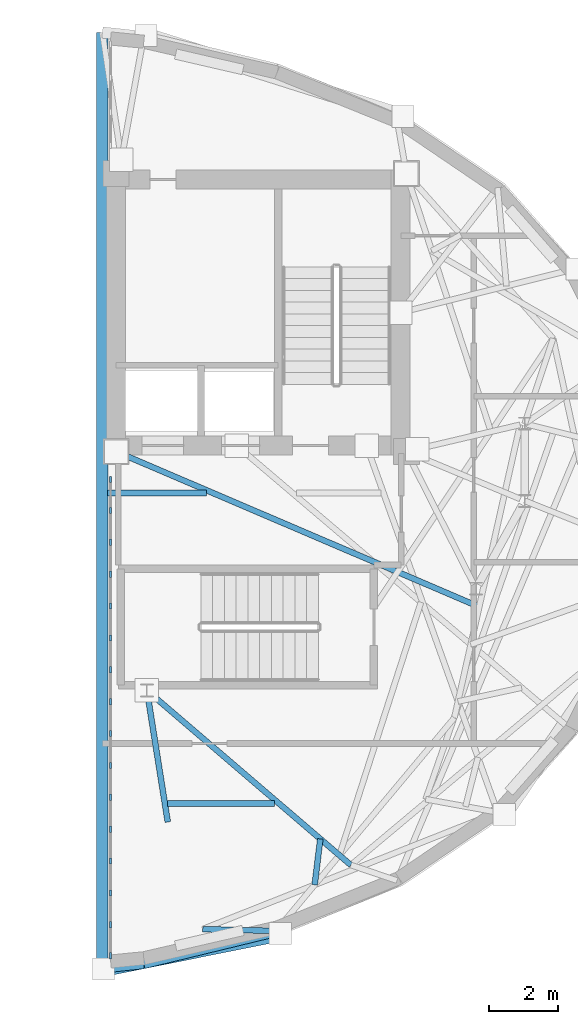
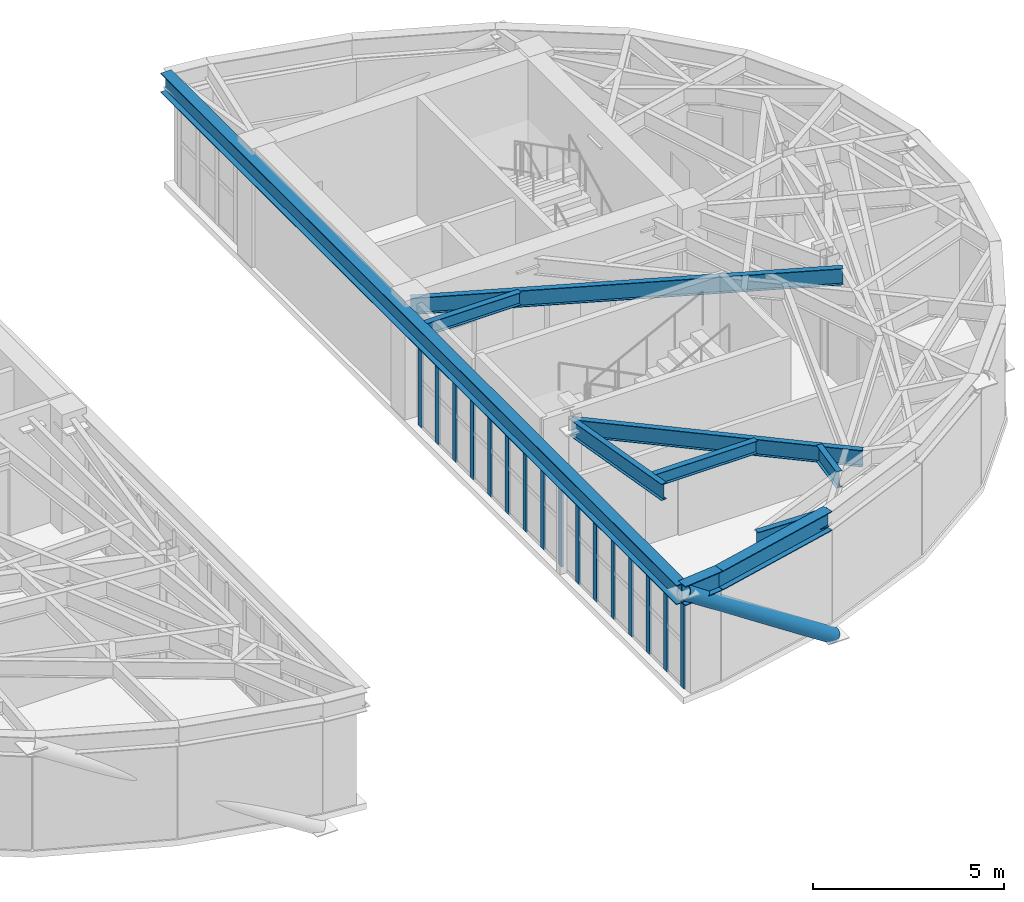
# One storey, part 3 of 13: 17 members, 10 beams, 1 element without a shape of its own.
"""IFC4 building model written with IfcOpenShell, lengths in metres."""

from ifc_helpers import new_model, si_unit, direction, frame, origin, origin_2d, place, context, subcontext, project, spatial, rectangle, hollow_circle, i_section, extrude, material, layer, layer_set, material_profile, profile_set, type_object, element, aggregate, save


model = new_model("IFC4")

# Units and contexts
model_context = context("Model", 3, precision=1e-05, world=origin(), true_north=direction((0.0, 1.0)))
body_context = subcontext(model_context, "Body", "Model", "MODEL_VIEW")
ifc_project = project(units=[si_unit("LENGTHUNIT", "METRE"), si_unit("AREAUNIT", "SQUARE_METRE"), si_unit("VOLUMEUNIT", "CUBIC_METRE"), si_unit("PLANEANGLEUNIT", "RADIAN"), si_unit("MASSUNIT", "GRAM", prefix="KILO")], contexts=[model_context])

# Site, building, storey
site_placement = place(None, origin())
site = spatial("IfcSite", under=ifc_project, at=site_placement, CompositionType="ELEMENT")
building_placement = place(site_placement, origin())
building = spatial("IfcBuilding", under=site, at=building_placement, Name="Keldmark Tower", CompositionType="ELEMENT")
storey_placement = place(building_placement, frame((0.0, 0.0, 276.800048828125)))
storey = spatial("IfcBuildingStorey", under=building, at=storey_placement, Name="L78", CompositionType="ELEMENT", Elevation=276.800048828125)

# Beams
ifc_material_1 = material(Name="Steel ASTM A992 Grade 50", Category="steel")
ifc_material_profile_1 = material_profile(ifc_material_1, i_section(OverallWidth=0.177978515625, OverallDepth=0.403076171875, WebThickness=0.007568359375, FlangeThickness=0.010986328125, at=origin_2d()), Name="W16X36")
ifc_profile_set_1 = profile_set([ifc_material_profile_1], Name="Steel ASTM A992 Grade 50")
beam_type_1 = type_object("IfcBeamType", Name="Composite Floor Joist W16X36", PredefinedType="JOIST", material=ifc_profile_set_1)
beam_1_placement = place(storey_placement, frame((6.683837890625, -8.780029296875, 3.3984375), z_axis=(1.0, 0.0, 0.0), x_axis=(0.0, 1.0, 0.0)))
element("IfcBeam", 1, at=beam_1_placement, inside=storey, type_object=beam_type_1, Name="L78 Composite Floor Joist J01", PredefinedType="JOIST", context=body_context, shape_type="SweptSolid", body=[
    extrude(i_section(OverallWidth=0.177978515625, OverallDepth=0.403076171875, WebThickness=0.007568359375, FlangeThickness=0.010986328125, at=origin_2d()), origin(), (0.0, 0.0, 1.0), 3.10400390625),
])
beam_2_placement = place(storey_placement, frame((4.95458984375, 0.199951171875, 3.3984375), z_axis=(1.0, 0.0, 0.0), x_axis=(0.0, 1.0, 0.0)))
element("IfcBeam", 2, at=beam_2_placement, inside=storey, type_object=beam_type_1, Name="L78 Composite Floor Joist J02", PredefinedType="JOIST", context=body_context, shape_type="SweptSolid", body=[
    extrude(i_section(OverallWidth=0.177978515625, OverallDepth=0.403076171875, WebThickness=0.007568359375, FlangeThickness=0.010986328125, at=origin_2d()), origin(), (0.0, 0.0, 1.0), 2.853515625),
])

# Member
ifc_material_2 = material(Name="Steel ASTM A572 Grade 50", Category="steel")
ifc_material_profile_2 = material_profile(ifc_material_2, hollow_circle(Radius=0.22509765625, WallThickness=0.02197265625, at=origin_2d()), Name="CHS450X22")
ifc_profile_set_2 = profile_set([ifc_material_profile_2], Name="Steel ASTM A572 Grade 50")
member_type_1 = type_object("IfcMemberType", Name="Crown Frame Brace CHS450X22", PredefinedType="USERDEFINED", material=ifc_profile_set_2)
member_1_placement = place(storey_placement, frame((9.948486328125, -12.546142578125, -0.449951171875), z_axis=(-0.792544294908, -0.159159415528, 0.588678028346), x_axis=(0.196889899173, -0.980425605339, 0.0)))
element("IfcMember", 3, at=member_1_placement, inside=storey, type_object=member_type_1, Name="L78 Crown Frame Diagonal E12", ObjectType="CROWN FRAME", PredefinedType="USERDEFINED", context=body_context, shape_type="SweptSolid", body=[
    extrude(hollow_circle(Radius=0.22509765625, WallThickness=0.02197265625, at=origin_2d()), origin(), (0.0, 0.0, 1.0), 6.454833984375),
])

# Curtain wall, members
ifc_material_3 = material(Name="Unitized Thermally Broken Aluminum and Triple Low-E Glazing", Category="aluminium")
ifc_layer = layer(ifc_material_3, 0.219970703125)
ifc_layer_set = layer_set([ifc_layer], Name="Unitized Thermally Broken Aluminum and Triple Low-E Glazing")
curtain_wall_type = type_object("IfcCurtainWallType", Name="Split-Top Crown Lantern Curtain Wall System", PredefinedType="NOTDEFINED", material=ifc_layer_set)
curtain_wall_placement = place(storey_placement, origin())
curtain_wall = element("IfcCurtainWall", 4, at=curtain_wall_placement, inside=storey, type_object=curtain_wall_type, Name="L78 Split-Top Crown Lantern Curtain Wall System CW-L78-ES14-1", PredefinedType="NOTDEFINED")
ifc_material_4 = material(Name="Extruded Aluminum Alloy 6063-T6", Category="aluminium")
ifc_material_profile_3 = material_profile(ifc_material_4, rectangle(XDim=0.06005859375, YDim=0.179931640625, at=origin_2d()), Name="CWM60X180")
ifc_profile_set_3 = profile_set([ifc_material_profile_3], Name="Extruded Aluminum Alloy 6063-T6")
member_type_2 = type_object("IfcMemberType", Name="Curtain Wall Structural Mullion 60x180", PredefinedType="MULLION", material=ifc_profile_set_3)
member_2_placement = place(storey_placement, frame((5.0400390625, 0.591552734375, 0.0), z_axis=(0.0, 0.0, 1.0), x_axis=(1.0, 0.0, 0.0)))
member_2 = element("IfcMember", 5, at=member_2_placement, type_object=member_type_2, Name="CW mullion 1", PredefinedType="MULLION", context=body_context, shape_type="SweptSolid", body=[
    extrude(rectangle(XDim=0.06005859375, YDim=0.179931640625, at=origin_2d()), origin(), (0.0, 0.0, 1.0), 2.966064453125),
])
member_3_placement = place(storey_placement, frame((5.0400390625, -0.30126953125, 0.0), z_axis=(0.0, 0.0, 1.0), x_axis=(1.0, 0.0, 0.0)))
member_3 = element("IfcMember", 6, at=member_3_placement, type_object=member_type_2, Name="CW mullion 2", PredefinedType="MULLION", context=body_context, shape_type="SweptSolid", body=[
    extrude(rectangle(XDim=0.06005859375, YDim=0.179931640625, at=origin_2d()), origin(), (0.0, 0.0, 1.0), 2.966064453125),
])
member_4_placement = place(storey_placement, frame((5.0400390625, -1.223876953125, 0.0), z_axis=(0.0, 0.0, 1.0), x_axis=(1.0, 0.0, 0.0)))
member_4 = element("IfcMember", 7, at=member_4_placement, type_object=member_type_2, Name="CW mullion 3", PredefinedType="MULLION", context=body_context, shape_type="SweptSolid", body=[
    extrude(rectangle(XDim=0.06005859375, YDim=0.179931640625, at=origin_2d()), origin(), (0.0, 0.0, 1.0), 2.966064453125),
])
member_5_placement = place(storey_placement, frame((5.0400390625, -2.146484375, 0.0), z_axis=(0.0, 0.0, 1.0), x_axis=(1.0, 0.0, 0.0)))
member_5 = element("IfcMember", 8, at=member_5_placement, type_object=member_type_2, Name="CW mullion 4", PredefinedType="MULLION", context=body_context, shape_type="SweptSolid", body=[
    extrude(rectangle(XDim=0.06005859375, YDim=0.179931640625, at=origin_2d()), origin(), (0.0, 0.0, 1.0), 2.966064453125),
])
member_6_placement = place(storey_placement, frame((5.0400390625, -3.0693359375, 0.0), z_axis=(0.0, 0.0, 1.0), x_axis=(1.0, 0.0, 0.0)))
member_6 = element("IfcMember", 9, at=member_6_placement, type_object=member_type_2, Name="CW mullion 5", PredefinedType="MULLION", context=body_context, shape_type="SweptSolid", body=[
    extrude(rectangle(XDim=0.06005859375, YDim=0.179931640625, at=origin_2d()), origin(), (0.0, 0.0, 1.0), 2.966064453125),
])
member_7_placement = place(storey_placement, frame((5.0400390625, -3.991943359375, 0.0), z_axis=(0.0, 0.0, 1.0), x_axis=(1.0, 0.0, 0.0)))
member_7 = element("IfcMember", 10, at=member_7_placement, type_object=member_type_2, Name="CW mullion 6", PredefinedType="MULLION", context=body_context, shape_type="SweptSolid", body=[
    extrude(rectangle(XDim=0.06005859375, YDim=0.179931640625, at=origin_2d()), origin(), (0.0, 0.0, 1.0), 2.966064453125),
])
member_8_placement = place(storey_placement, frame((5.0400390625, -4.91455078125, 0.0), z_axis=(0.0, 0.0, 1.0), x_axis=(1.0, 0.0, 0.0)))
member_8 = element("IfcMember", 11, at=member_8_placement, type_object=member_type_2, Name="CW mullion 7", PredefinedType="MULLION", context=body_context, shape_type="SweptSolid", body=[
    extrude(rectangle(XDim=0.06005859375, YDim=0.179931640625, at=origin_2d()), origin(), (0.0, 0.0, 1.0), 2.966064453125),
])
member_9_placement = place(storey_placement, frame((5.0400390625, -5.837158203125, 0.0), z_axis=(0.0, 0.0, 1.0), x_axis=(1.0, 0.0, 0.0)))
member_9 = element("IfcMember", 12, at=member_9_placement, type_object=member_type_2, Name="CW mullion 8", PredefinedType="MULLION", context=body_context, shape_type="SweptSolid", body=[
    extrude(rectangle(XDim=0.06005859375, YDim=0.179931640625, at=origin_2d()), origin(), (0.0, 0.0, 1.0), 2.966064453125),
])
member_10_placement = place(storey_placement, frame((5.0400390625, -6.760009765625, 0.0), z_axis=(0.0, 0.0, 1.0), x_axis=(1.0, 0.0, 0.0)))
member_10 = element("IfcMember", 13, at=member_10_placement, type_object=member_type_2, Name="CW mullion 9", PredefinedType="MULLION", context=body_context, shape_type="SweptSolid", body=[
    extrude(rectangle(XDim=0.06005859375, YDim=0.179931640625, at=origin_2d()), origin(), (0.0, 0.0, 1.0), 2.966064453125),
])
member_11_placement = place(storey_placement, frame((5.0400390625, -7.6826171875, 0.0), z_axis=(0.0, 0.0, 1.0), x_axis=(1.0, 0.0, 0.0)))
member_11 = element("IfcMember", 14, at=member_11_placement, type_object=member_type_2, Name="CW mullion 10", PredefinedType="MULLION", context=body_context, shape_type="SweptSolid", body=[
    extrude(rectangle(XDim=0.06005859375, YDim=0.179931640625, at=origin_2d()), origin(), (0.0, 0.0, 1.0), 2.966064453125),
])
member_12_placement = place(storey_placement, frame((5.0400390625, -8.605224609375, 0.0), z_axis=(0.0, 0.0, 1.0), x_axis=(1.0, 0.0, 0.0)))
member_12 = element("IfcMember", 15, at=member_12_placement, type_object=member_type_2, Name="CW mullion 11", PredefinedType="MULLION", context=body_context, shape_type="SweptSolid", body=[
    extrude(rectangle(XDim=0.06005859375, YDim=0.179931640625, at=origin_2d()), origin(), (0.0, 0.0, 1.0), 2.966064453125),
])
member_13_placement = place(storey_placement, frame((5.0400390625, -9.528076171875, 0.0), z_axis=(0.0, 0.0, 1.0), x_axis=(1.0, 0.0, 0.0)))
member_13 = element("IfcMember", 16, at=member_13_placement, type_object=member_type_2, Name="CW mullion 12", PredefinedType="MULLION", context=body_context, shape_type="SweptSolid", body=[
    extrude(rectangle(XDim=0.06005859375, YDim=0.179931640625, at=origin_2d()), origin(), (0.0, 0.0, 1.0), 2.966064453125),
])
member_14_placement = place(storey_placement, frame((5.0400390625, -10.45068359375, 0.0), z_axis=(0.0, 0.0, 1.0), x_axis=(1.0, 0.0, 0.0)))
member_14 = element("IfcMember", 17, at=member_14_placement, type_object=member_type_2, Name="CW mullion 13", PredefinedType="MULLION", context=body_context, shape_type="SweptSolid", body=[
    extrude(rectangle(XDim=0.06005859375, YDim=0.179931640625, at=origin_2d()), origin(), (0.0, 0.0, 1.0), 2.966064453125),
])
member_15_placement = place(storey_placement, frame((5.0400390625, -11.373291015625, 0.0), z_axis=(0.0, 0.0, 1.0), x_axis=(1.0, 0.0, 0.0)))
member_15 = element("IfcMember", 18, at=member_15_placement, type_object=member_type_2, Name="CW mullion 14", PredefinedType="MULLION", context=body_context, shape_type="SweptSolid", body=[
    extrude(rectangle(XDim=0.06005859375, YDim=0.179931640625, at=origin_2d()), origin(), (0.0, 0.0, 1.0), 2.966064453125),
])
member_16_placement = place(storey_placement, frame((5.0400390625, -12.2958984375, 0.0), z_axis=(0.0, 0.0, 1.0), x_axis=(1.0, 0.0, 0.0)))
member_16 = element("IfcMember", 19, at=member_16_placement, type_object=member_type_2, Name="CW mullion 15", PredefinedType="MULLION", context=body_context, shape_type="SweptSolid", body=[
    extrude(rectangle(XDim=0.06005859375, YDim=0.179931640625, at=origin_2d()), origin(), (0.0, 0.0, 1.0), 2.966064453125),
])
member_17_placement = place(storey_placement, frame((5.0400390625, -13.188720703125, 0.0), z_axis=(0.0, 0.0, 1.0), x_axis=(1.0, 0.0, 0.0)))
member_17 = element("IfcMember", 20, at=member_17_placement, type_object=member_type_2, Name="CW mullion 16", PredefinedType="MULLION", context=body_context, shape_type="SweptSolid", body=[
    extrude(rectangle(XDim=0.06005859375, YDim=0.179931640625, at=origin_2d()), origin(), (0.0, 0.0, 1.0), 2.966064453125),
])
aggregate(curtain_wall, [member_2, member_3, member_4, member_5, member_6, member_7, member_8, member_9, member_10, member_11, member_12, member_13, member_14, member_15, member_16, member_17])

# Beams
ifc_material_5 = material(Name="Steel ASTM A992 Grade 50", Category="steel")
ifc_material_profile_4 = material_profile(ifc_material_5, i_section(OverallWidth=0.166015625, OverallDepth=0.529052734375, WebThickness=0.009765625, FlangeThickness=0.013671875, at=origin_2d()), Name="W21X50")
ifc_profile_set_4 = profile_set([ifc_material_profile_4], Name="Steel ASTM A992 Grade 50")
beam_type_2 = type_object("IfcBeamType", Name="Radial Tie Girder W21X50", PredefinedType="BEAM", material=ifc_profile_set_4)
beam_3_placement = place(storey_placement, frame((5.199951171875, 1.39990234375, 3.33544921875), z_axis=(0.919486124874, -0.393122456958, 0.0), x_axis=(0.393122456958, 0.919486124874, 0.0)))
element("IfcBeam", 21, at=beam_3_placement, inside=storey, type_object=beam_type_2, Name="L78 Framing Pin Header PH-001", PredefinedType="BEAM", context=body_context, shape_type="SweptSolid", body=[
    extrude(i_section(OverallWidth=0.166015625, OverallDepth=0.529052734375, WebThickness=0.009765625, FlangeThickness=0.013671875, at=origin_2d()), origin(), (0.0, 0.0, 1.0), 11.42822265625),
])
beam_4_placement = place(storey_placement, frame((6.089599609375, -5.512939453125, 3.33544921875), z_axis=(0.759651169259, -0.650330762799, 0.0), x_axis=(0.650330762799, 0.759651169259, 0.0)))
element("IfcBeam", 22, at=beam_4_placement, inside=storey, type_object=beam_type_2, Name="L78 Straddling Support Chord CRT-E13RB", PredefinedType="BEAM", context=body_context, shape_type="SweptSolid", body=[
    extrude(i_section(OverallWidth=0.166015625, OverallDepth=0.529052734375, WebThickness=0.009765625, FlangeThickness=0.013671875, at=origin_2d()), origin(), (0.0, 0.0, 1.0), 7.771728515625),
])
beam_5_placement = place(storey_placement, frame((11.107666015625, -9.80908203125, 3.33544921875), z_axis=(-0.121049994025, -0.992646411844, 0.0), x_axis=(0.992646411844, -0.121049994025, 0.0)))
element("IfcBeam", 23, at=beam_5_placement, inside=storey, type_object=beam_type_2, Name="L78 Framing Pin Header PH-011", PredefinedType="BEAM", context=body_context, shape_type="SweptSolid", body=[
    extrude(i_section(OverallWidth=0.166015625, OverallDepth=0.529052734375, WebThickness=0.009765625, FlangeThickness=0.013671875, at=origin_2d()), origin(), (0.0, 0.0, 1.0), 1.339111328125),
])
beam_6_placement = place(storey_placement, frame((7.705078125, -12.422607421875, 3.33544921875), z_axis=(0.999714325131, -0.023901216049, 0.0), x_axis=(0.023901216049, 0.999714325131, 0.0)))
element("IfcBeam", 24, at=beam_6_placement, inside=storey, type_object=beam_type_2, Name="L78 Crown Step Collector Chord CRT-E14RP2", PredefinedType="BEAM", context=body_context, shape_type="SweptSolid", body=[
    extrude(i_section(OverallWidth=0.166015625, OverallDepth=0.529052734375, WebThickness=0.009765625, FlangeThickness=0.013671875, at=origin_2d()), origin(), (0.0, 0.0, 1.0), 2.12451171875),
])
beam_7_placement = place(storey_placement, frame((6.089599609375, -5.512939453125, 3.33544921875), z_axis=(0.156671455467, -0.987650775852, 0.0), x_axis=(0.987650775852, 0.156671455467, 0.0)))
element("IfcBeam", 25, at=beam_7_placement, inside=storey, type_object=beam_type_2, Name="L78 Column Step Bracket CRT-E14RS", PredefinedType="BEAM", context=body_context, shape_type="SweptSolid", body=[
    extrude(i_section(OverallWidth=0.166015625, OverallDepth=0.529052734375, WebThickness=0.009765625, FlangeThickness=0.013671875, at=origin_2d()), origin(), (0.0, 0.0, 1.0), 3.855224609375),
])
ifc_material_6 = material(Name="Steel ASTM A992 Grade 50", Category="steel")
ifc_material_profile_5 = material_profile(ifc_material_6, i_section(OverallWidth=0.326904296875, OverallDepth=0.6220703125, WebThickness=0.015380859375, FlangeThickness=0.0244140625, at=origin_2d()), Name="W24X131")
ifc_profile_set_5 = profile_set([ifc_material_profile_5], Name="Steel ASTM A992 Grade 50")
beam_type_3 = type_object("IfcBeamType", Name="Spandrel Ring Beam W24X131", PredefinedType="SPANDREL", material=ifc_profile_set_5)
beam_8_placement = place(storey_placement, frame((9.8291015625, -12.473388671875, 3.2890625), z_axis=(-0.971821767111, -0.235716891564, 0.0), x_axis=(0.235716891564, -0.971821767111, 0.0)))
element("IfcBeam", 26, at=beam_8_placement, inside=storey, type_object=beam_type_3, Name="L78 Crown Spandrel Ring Beam CRB-E13", PredefinedType="SPANDREL", context=body_context, shape_type="SweptSolid", body=[
    extrude(i_section(OverallWidth=0.326904296875, OverallDepth=0.6220703125, WebThickness=0.015380859375, FlangeThickness=0.0244140625, at=origin_2d()), origin(), (0.0, 0.0, 1.0), 3.946044921875),
])
beam_9_placement = place(storey_placement, frame((5.994140625, -13.403564453125, 3.2890625), z_axis=(-0.99426677792, -0.106927893107, 0.0), x_axis=(0.106927893107, -0.99426677792, 0.0)))
element("IfcBeam", 27, at=beam_9_placement, inside=storey, type_object=beam_type_3, Name="L78 Crown Spandrel Ring Beam CRB-E14", PredefinedType="SPANDREL", context=body_context, shape_type="SweptSolid", body=[
    extrude(i_section(OverallWidth=0.326904296875, OverallDepth=0.6220703125, WebThickness=0.015380859375, FlangeThickness=0.0244140625, at=origin_2d()), origin(), (0.0, 0.0, 1.0), 1.200927734375),
])
beam_10_placement = place(storey_placement, frame((4.800048828125, -13.531982421875, 3.2890625), z_axis=(0.0, 1.0, 0.0), x_axis=(-1.0, 0.0, 0.0)))
element("IfcBeam", 28, at=beam_10_placement, inside=storey, type_object=beam_type_3, Name="L78 Crown Spandrel Ring Beam CRB-E15", PredefinedType="SPANDREL", context=body_context, shape_type="SweptSolid", body=[
    extrude(i_section(OverallWidth=0.326904296875, OverallDepth=0.6220703125, WebThickness=0.015380859375, FlangeThickness=0.0244140625, at=origin_2d()), origin(), (0.0, 0.0, 1.0), 27.06396484375),
])

save(model, "model.ifc")
